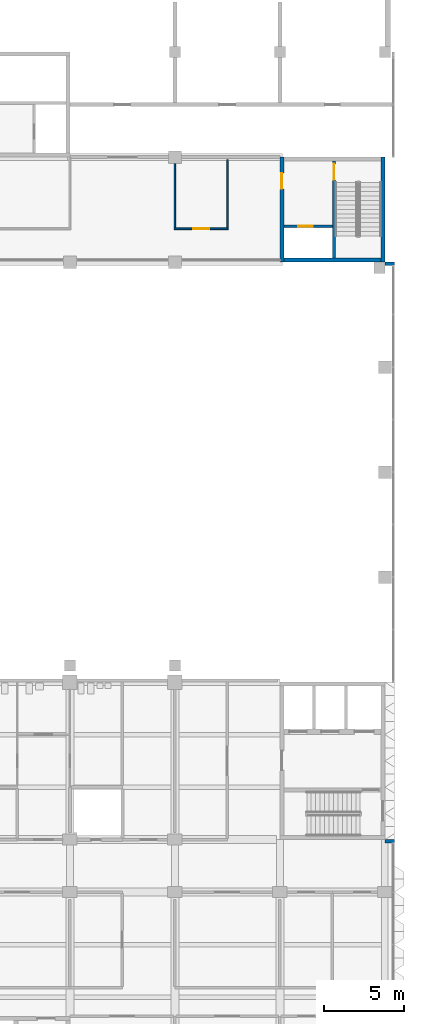
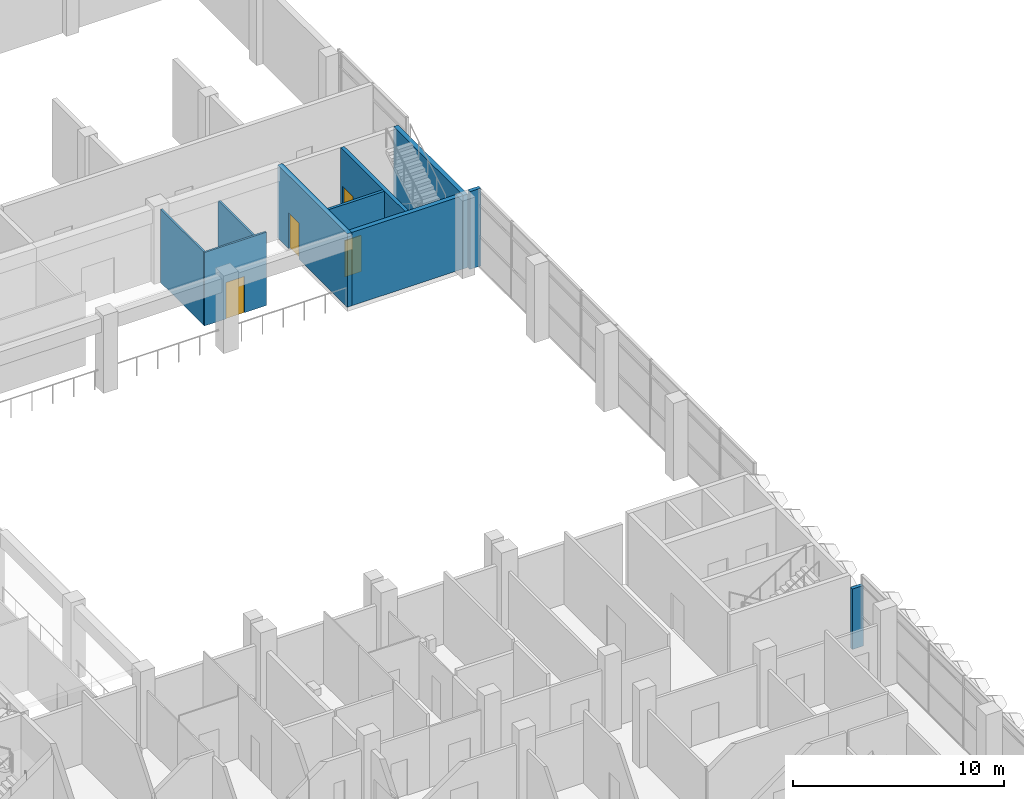
# One storey, part 32 of 87: 10 walls, 4 doors, 4 openings.
"""IFC4 building model written with IfcOpenShell, lengths in metres."""

from ifc_helpers import new_model, si_unit, direction, frame, frame_2d, origin, place, context, subcontext, project, spatial, rectangle, extrude, material, layer, layer_set, type_object, element, fill, save


model = new_model("IFC4")

# Units and contexts
model_context = context("Model", 3, precision=1e-05, world=origin(), true_north=direction((0.0, 1.0)))
body_context = subcontext(model_context, "Body", "Model", "MODEL_VIEW")
ifc_project = project(units=[si_unit("LENGTHUNIT", "METRE"), si_unit("AREAUNIT", "SQUARE_METRE"), si_unit("VOLUMEUNIT", "CUBIC_METRE"), si_unit("PLANEANGLEUNIT", "RADIAN"), si_unit("MASSUNIT", "GRAM", prefix="KILO")], contexts=[model_context])

# Site, building, storey
site_placement = place(None, origin())
site = spatial("IfcSite", under=ifc_project, at=site_placement, CompositionType="ELEMENT")
building_placement = place(site_placement, origin())
building = spatial("IfcBuilding", under=site, at=building_placement, Name="Lantern Court Research Institute", CompositionType="ELEMENT")
storey_placement = place(building_placement, frame((0.0, 0.0, 5.39990234375)))
storey = spatial("IfcBuildingStorey", under=building, at=storey_placement, Name="L01", CompositionType="ELEMENT", Elevation=5.39990234375)

# Wall, opening, door
ifc_material_1 = material(Name="Gypsum board on metal studs")
ifc_layer_1 = layer(ifc_material_1, 0.10009765625)
ifc_layer_set_1 = layer_set([ifc_layer_1], Name="Gypsum board on metal studs")
wall_type_1 = type_object("IfcWallType", Name="Partition 100 mm", PredefinedType="PARTITIONING", material=ifc_layer_set_1)
wall_1_placement = place(storey_placement, frame((65.949951171875, 51.60009765625, 0.0), z_axis=(0.0, 0.0, 1.0), x_axis=(1.0, 0.0, 0.0)))
wall_1 = element("IfcWall", 1, at=wall_1_placement, inside=storey, type_object=wall_type_1, Name="Wall V2-L01-008", PredefinedType="PARTITIONING", context=body_context, shape_type="SweptSolid", body=[
    extrude(rectangle(XDim=3.400146484375, YDim=0.10009765625, at=frame_2d((1.7001953125, 0.0))), origin(), (0.0, 0.0, 1.0), 4.25),
])
opening_1_placement = place(wall_1_placement, frame((1.199951171875, 0.0, 0.0)))
opening_1 = element("IfcOpeningElement", 2, at=opening_1_placement, cuts=wall_1, Name="Opening D2102", PredefinedType="OPENING", context=body_context, shape_type="SweptSolid", body=[
    extrude(rectangle(XDim=1.0, YDim=2.10009765625, at=frame_2d((0.5, 1.050048828125))), frame((0.0, 0.06005859375, 0.0), z_axis=(0.0, -1.0, 0.0), x_axis=(1.0, 0.0, 0.0)), (0.0, 0.0, 1.0), 0.1201171875),
])
ifc_material_2 = material(Name="Timber veneered door leaf", Category="wood")
door_type_1 = type_object("IfcDoorType", Name="Door 1000 x 2100 meeting room", OperationType="NOTDEFINED", PredefinedType="DOOR", material=ifc_material_2)
door_1_placement = place(opening_1_placement, origin())
door_1 = element("IfcDoor", 3, at=door_1_placement, inside=storey, type_object=door_type_1, Name="Door D2102", OperationType="SINGLE_SWING_RIGHT", OverallHeight=2.10009765625, OverallWidth=1.0, PredefinedType="DOOR", context=body_context, shape_type="SweptSolid", body=[
    extrude(rectangle(XDim=1.0, YDim=2.10009765625, at=frame_2d((0.5, 1.050048828125))), frame((0.0, 0.02490234375, 0.0), z_axis=(0.0, -1.0, 0.0), x_axis=(1.0, 0.0, 0.0)), (0.0, 0.0, 1.0), 0.050048828125),
])
fill(opening_1, door_1)

# Walls
wall_2_placement = place(storey_placement, frame((66.0, 51.64990234375, 0.0), z_axis=(0.0, 0.0, 1.0), x_axis=(0.0, 1.0, 0.0)))
element("IfcWall", 4, at=wall_2_placement, inside=storey, type_object=wall_type_1, Name="Wall V2-L01-012", PredefinedType="PARTITIONING", context=body_context, shape_type="SweptSolid", body=[
    extrude(rectangle(XDim=4.050048828125, YDim=0.10009765625, at=frame_2d((2.02490234375, 0.0))), origin(), (0.0, 0.0, 1.0), 4.25),
])
wall_3_placement = place(storey_placement, frame((69.300048828125, 51.64990234375, 0.0), z_axis=(0.0, 0.0, 1.0), x_axis=(0.0, 1.0, 0.0)))
element("IfcWall", 5, at=wall_3_placement, inside=storey, type_object=wall_type_1, Name="Wall V2-L01-013", PredefinedType="PARTITIONING", context=body_context, shape_type="SweptSolid", body=[
    extrude(rectangle(XDim=4.300048828125, YDim=0.10009765625, at=frame_2d((2.14990234375, 0.0))), origin(), (0.0, 0.0, 1.0), 3.4501953125),
])

# Wall, opening, door
ifc_material_3 = material(Name="Concrete C40/50", Category="concrete")
ifc_layer_2 = layer(ifc_material_3, 0.25)
ifc_layer_set_2 = layer_set([ifc_layer_2], Name="Concrete C40/50")
wall_type_2 = type_object("IfcWallType", Name="RC core wall 250", PredefinedType="SHEAR", material=ifc_layer_set_2)
wall_4_placement = place(storey_placement, frame((72.72509765625, 56.10009765625, 0.0), z_axis=(0.0, 0.0, 1.0), x_axis=(0.0, -1.0, 0.0)))
wall_4 = element("IfcWall", 6, at=wall_4_placement, inside=storey, type_object=wall_type_2, Name="West wall of core HC-B", PredefinedType="SHEAR", context=body_context, shape_type="SweptSolid", body=[
    extrude(rectangle(XDim=6.60009765625, YDim=0.25, at=frame_2d((3.300048828125, 0.0))), origin(), (0.0, 0.0, 1.0), 4.25),
])
opening_2_placement = place(wall_4_placement, frame((1.0, 0.0, 0.0)))
opening_2 = element("IfcOpeningElement", 7, at=opening_2_placement, cuts=wall_4, Name="Opening D7318", PredefinedType="OPENING", context=body_context, shape_type="SweptSolid", body=[
    extrude(rectangle(XDim=1.0, YDim=2.10009765625, at=frame_2d((0.5, 1.050048828125))), frame((0.0, 0.135009765625, 0.0), z_axis=(0.0, -1.0, 0.0), x_axis=(1.0, 0.0, 0.0)), (0.0, 0.0, 1.0), 0.27001953125),
])
ifc_material_4 = material(Name="Steel fire door leaf with smoke seals", Category="steel")
door_type_2 = type_object("IfcDoorType", Name="Door 1000 x 2100 fire rated FD60S", OperationType="NOTDEFINED", PredefinedType="DOOR", material=ifc_material_4)
door_2_placement = place(opening_2_placement, origin())
door_2 = element("IfcDoor", 8, at=door_2_placement, inside=storey, type_object=door_type_2, Name="Lobby door", OperationType="SINGLE_SWING_RIGHT", OverallHeight=2.10009765625, OverallWidth=1.0, PredefinedType="DOOR", context=body_context, shape_type="SweptSolid", body=[
    extrude(rectangle(XDim=1.0, YDim=2.10009765625, at=frame_2d((0.5, 1.050048828125))), frame((0.0, 0.02490234375, 0.0), z_axis=(0.0, -1.0, 0.0), x_axis=(1.0, 0.0, 0.0)), (0.0, 0.0, 1.0), 0.050048828125),
])
fill(opening_2, door_2)

# Walls
ifc_material_5 = material(Name="Concrete C40/50", Category="concrete")
ifc_layer_3 = layer(ifc_material_5, 0.25)
ifc_layer_set_3 = layer_set([ifc_layer_3], Name="Concrete C40/50")
wall_type_3 = type_object("IfcWallType", Name="RC core wall 250 facade", PredefinedType="SHEAR", material=ifc_layer_set_3)
wall_5_placement = place(storey_placement, frame((79.074951171875, 56.10009765625, 0.0), z_axis=(0.0, 0.0, 1.0), x_axis=(0.0, -1.0, 0.0)))
element("IfcWall", 9, at=wall_5_placement, inside=storey, type_object=wall_type_3, Name="East wall of core HC-B", PredefinedType="SHEAR", context=body_context, shape_type="SweptSolid", body=[
    extrude(rectangle(XDim=6.60009765625, YDim=0.25, at=frame_2d((3.300048828125, 0.0))), origin(), (0.0, 0.0, 1.0), 4.25),
])
wall_6_placement = place(storey_placement, frame((72.85009765625, 49.625, 0.0), z_axis=(0.0, 0.0, 1.0), x_axis=(1.0, 0.0, 0.0)))
element("IfcWall", 10, at=wall_6_placement, inside=storey, type_object=wall_type_3, Name="South wall of core HC-B", PredefinedType="SHEAR", context=body_context, shape_type="SweptSolid", body=[
    extrude(rectangle(XDim=6.099853515625, YDim=0.25, at=frame_2d((3.0498046875, 0.0))), origin(), (0.0, 0.0, 1.0), 4.25),
])

# Wall, opening, door
ifc_material_6 = material(Name="Concrete C40/50", Category="concrete")
ifc_layer_4 = layer(ifc_material_6, 0.14990234375)
ifc_layer_set_4 = layer_set([ifc_layer_4], Name="Concrete C40/50")
wall_type_4 = type_object("IfcWallType", Name="RC shaft wall 150", PredefinedType="SHEAR", material=ifc_layer_set_4)
wall_7_placement = place(storey_placement, frame((72.85009765625, 51.75, 0.0), z_axis=(0.0, 0.0, 1.0), x_axis=(1.0, 0.0, 0.0)))
wall_7 = element("IfcWall", 11, at=wall_7_placement, inside=storey, type_object=wall_type_4, Name="Riser wall of core HC-B", PredefinedType="SHEAR", context=body_context, shape_type="SweptSolid", body=[
    extrude(rectangle(XDim=3.0498046875, YDim=0.14990234375, at=frame_2d((1.52490234375, 0.0))), origin(), (0.0, 0.0, 1.0), 4.25),
])
opening_3_placement = place(wall_7_placement, frame((0.89990234375, 0.0, 0.0)))
opening_3 = element("IfcOpeningElement", 12, at=opening_3_placement, cuts=wall_7, Name="Opening D7317", PredefinedType="OPENING", context=body_context, shape_type="SweptSolid", body=[
    extrude(rectangle(XDim=0.89990234375, YDim=2.10009765625, at=frame_2d((0.449951171875, 1.050048828125))), frame((0.0, 0.0849609375, 0.0), z_axis=(0.0, -1.0, 0.0), x_axis=(1.0, 0.0, 0.0)), (0.0, 0.0, 1.0), 0.169921875),
])
ifc_material_7 = material(Name="Steel fire door leaf", Category="steel")
door_type_3 = type_object("IfcDoorType", Name="Door 900 x 2100 fire rated FD60", OperationType="NOTDEFINED", PredefinedType="DOOR", material=ifc_material_7)
door_3_placement = place(opening_3_placement, origin())
door_3 = element("IfcDoor", 13, at=door_3_placement, inside=storey, type_object=door_type_3, Name="Riser door", OperationType="SINGLE_SWING_RIGHT", OverallHeight=2.10009765625, OverallWidth=0.89990234375, PredefinedType="DOOR", context=body_context, shape_type="SweptSolid", body=[
    extrude(rectangle(XDim=0.89990234375, YDim=2.10009765625, at=frame_2d((0.449951171875, 1.050048828125))), frame((0.0, 0.02490234375, 0.0), z_axis=(0.0, -1.0, 0.0), x_axis=(1.0, 0.0, 0.0)), (0.0, 0.0, 1.0), 0.050048828125),
])
fill(opening_3, door_3)

ifc_material_8 = material(Name="Concrete C40/50", Category="concrete")
ifc_layer_5 = layer(ifc_material_8, 0.199951171875)
ifc_layer_set_5 = layer_set([ifc_layer_5], Name="Concrete C40/50")
wall_type_5 = type_object("IfcWallType", Name="RC shaft wall 200", PredefinedType="SHEAR", material=ifc_layer_set_5)
wall_8_placement = place(storey_placement, frame((76.0, 55.85009765625, 0.0), z_axis=(0.0, 0.0, 1.0), x_axis=(0.0, -1.0, 0.0)))
wall_8 = element("IfcWall", 14, at=wall_8_placement, inside=storey, type_object=wall_type_5, Name="Stair wall of core HC-B", PredefinedType="SHEAR", context=body_context, shape_type="SweptSolid", body=[
    extrude(rectangle(XDim=6.10009765625, YDim=0.199951171875, at=frame_2d((3.050048828125, 0.0))), origin(), (0.0, 0.0, 1.0), 4.25),
])
opening_4_placement = place(wall_8_placement, frame((0.175048828125, 0.0, 0.0)))
opening_4 = element("IfcOpeningElement", 15, at=opening_4_placement, cuts=wall_8, Name="Opening D7319", PredefinedType="OPENING", context=body_context, shape_type="SweptSolid", body=[
    extrude(rectangle(XDim=1.0, YDim=2.10009765625, at=frame_2d((0.5, 1.050048828125))), frame((0.0, 0.10986328125, 0.0), z_axis=(0.0, -1.0, 0.0), x_axis=(1.0, 0.0, 0.0)), (0.0, 0.0, 1.0), 0.219970703125),
])
door_4_placement = place(opening_4_placement, origin())
door_4 = element("IfcDoor", 16, at=door_4_placement, inside=storey, type_object=door_type_2, Name="Stair door", OperationType="SINGLE_SWING_RIGHT", OverallHeight=2.10009765625, OverallWidth=1.0, PredefinedType="DOOR", context=body_context, shape_type="SweptSolid", body=[
    extrude(rectangle(XDim=1.0, YDim=2.10009765625, at=frame_2d((0.5, 1.050048828125))), frame((0.0, 0.02490234375, 0.0), z_axis=(0.0, -1.0, 0.0), x_axis=(1.0, 0.0, 0.0)), (0.0, 0.0, 1.0), 0.050048828125),
])
fill(opening_4, door_4)

# Walls
ifc_material_9 = material(Name="Concrete C40/50", Category="concrete")
ifc_layer_6 = layer(ifc_material_9, 0.199951171875)
ifc_layer_set_6 = layer_set([ifc_layer_6], Name="Concrete C40/50")
wall_type_6 = type_object("IfcWallType", Name="Return wall 200 concrete EI 120 aluminium faced", PredefinedType="STANDARD", material=ifc_layer_set_6)
wall_9_placement = place(storey_placement, frame((79.199951171875, 49.39990234375, 0.0), z_axis=(0.0, 0.0, 1.0), x_axis=(1.0, 0.0, 0.0)))
element("IfcWall", 17, at=wall_9_placement, inside=storey, type_object=wall_type_6, Name="Core return wall 09", PredefinedType="STANDARD", context=body_context, shape_type="SweptSolid", body=[
    extrude(rectangle(XDim=0.60009765625, YDim=0.199951171875, at=frame_2d((0.300048828125, 0.0))), origin(), (0.0, 0.0, 1.0), 4.5),
])
wall_10_placement = place(storey_placement, frame((79.199951171875, 13.10009765625, 0.0), z_axis=(0.0, 0.0, 1.0), x_axis=(1.0, 0.0, 0.0)))
element("IfcWall", 18, at=wall_10_placement, inside=storey, type_object=wall_type_6, Name="Core return wall 19", PredefinedType="STANDARD", context=body_context, shape_type="SweptSolid", body=[
    extrude(rectangle(XDim=0.60009765625, YDim=0.199951171875, at=frame_2d((0.300048828125, 0.0))), origin(), (0.0, 0.0, 1.0), 3.5),
])

save(model, "model.ifc")
